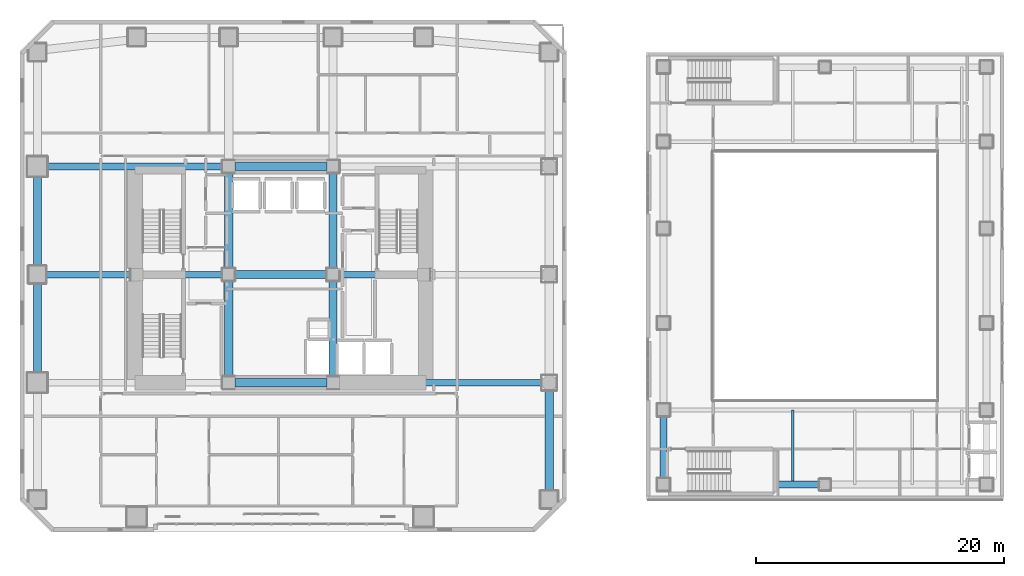
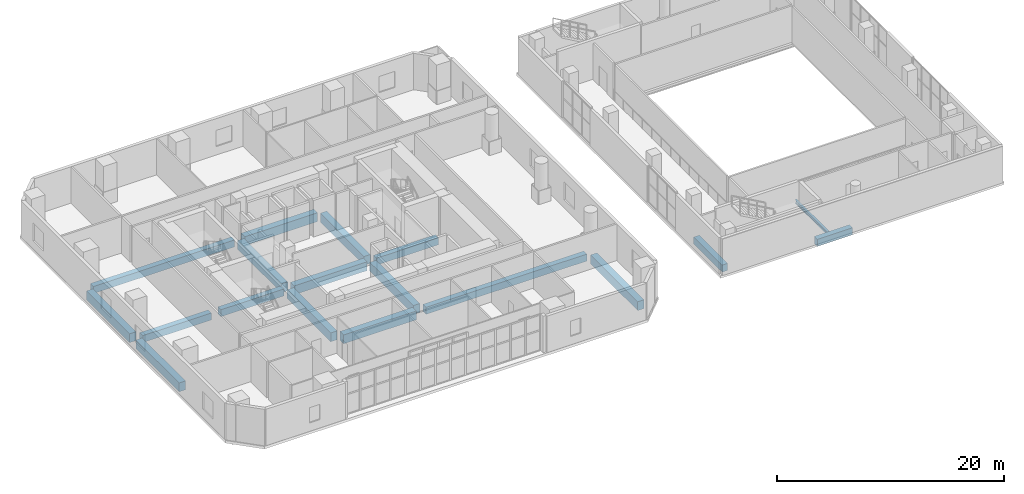
# One storey, part 5 of 24: 18 beams.
"""IFC4 building model written with IfcOpenShell, lengths in metres."""

from ifc_helpers import new_model, si_unit, direction, frame, origin, origin_2d, place, context, subcontext, project, spatial, rectangle, i_section, extrude, material, material_profile, profile_set, type_object, element, save


model = new_model("IFC4")

# Units and contexts
model_context = context("Model", 3, precision=1e-05, world=origin(), true_north=direction((0.0, 1.0)))
body_context = subcontext(model_context, "Body", "Model", "MODEL_VIEW")
ifc_project = project(units=[si_unit("LENGTHUNIT", "METRE"), si_unit("AREAUNIT", "SQUARE_METRE"), si_unit("VOLUMEUNIT", "CUBIC_METRE"), si_unit("PLANEANGLEUNIT", "RADIAN"), si_unit("MASSUNIT", "GRAM", prefix="KILO")], contexts=[model_context])

# Site, building, storey
site_placement = place(None, origin())
site = spatial("IfcSite", under=ifc_project, at=site_placement, CompositionType="ELEMENT")
building_placement = place(site_placement, origin())
building = spatial("IfcBuilding", under=site, at=building_placement, Name="Solanera Arch Residences", CompositionType="ELEMENT")
storey_placement = place(building_placement, frame((0.0, 0.0, 5.199951171875)))
storey = spatial("IfcBuildingStorey", under=building, at=storey_placement, Name="L01", CompositionType="ELEMENT", Elevation=5.199951171875)

# Beams
ifc_material_1 = material(Name="Concrete C40/50 (f'c = 45 MPa)", Category="concrete")
ifc_material_profile_1 = material_profile(ifc_material_1, rectangle(XDim=0.550048828125, YDim=0.75, at=origin_2d()))
ifc_profile_set_1 = profile_set([ifc_material_profile_1], Name="Concrete C40/50 (f'c = 45 MPa)")
beam_type_1 = type_object("IfcBeamType", Name="Primary Beam RC-BM-550X750", PredefinedType="BEAM", material=ifc_profile_set_1)
beam_1_placement = place(storey_placement, frame((29.7041015625, 22.0, -0.655029296875), z_axis=(1.0, 0.0, 0.0), x_axis=(0.0, 1.0, 0.0)))
element("IfcBeam", 1, at=beam_1_placement, inside=storey, type_object=beam_type_1, Name="BM-L01-POD-RE-22", PredefinedType="BEAM", context=body_context, shape_type="SweptSolid", body=[
    extrude(rectangle(XDim=0.550048828125, YDim=0.75, at=origin_2d()), origin(), (0.0, 0.0, 1.0), 16.35595703125),
])
beam_2_placement = place(storey_placement, frame((5.93994140625, 30.699951171875, -0.655029296875), z_axis=(1.0, 0.0, 0.0), x_axis=(0.0, 1.0, 0.0)))
element("IfcBeam", 2, at=beam_2_placement, inside=storey, type_object=beam_type_1, Name="BM-L01-POD-RW-30", PredefinedType="BEAM", context=body_context, shape_type="SweptSolid", body=[
    extrude(rectangle(XDim=0.550048828125, YDim=0.75, at=origin_2d()), origin(), (0.0, 0.0, 1.0), 6.9560546875),
])
beam_3_placement = place(storey_placement, frame((5.93994140625, 39.39990234375, -0.655029296875), z_axis=(1.0, 0.0, 0.0), x_axis=(0.0, 1.0, 0.0)))
element("IfcBeam", 3, at=beam_3_placement, inside=storey, type_object=beam_type_1, Name="BM-L01-POD-RW-39", PredefinedType="BEAM", context=body_context, shape_type="SweptSolid", body=[
    extrude(rectangle(XDim=0.550048828125, YDim=0.75, at=origin_2d()), origin(), (0.0, 0.0, 1.0), 14.35595703125),
])
beam_4_placement = place(storey_placement, frame((13.904052734375, 30.699951171875, -0.655029296875), z_axis=(1.0, 0.0, 0.0), x_axis=(0.0, 1.0, 0.0)))
element("IfcBeam", 4, at=beam_4_placement, inside=storey, type_object=beam_type_1, Name="BM-L01-HCCW", PredefinedType="BEAM", context=body_context, shape_type="SweptSolid", body=[
    extrude(rectangle(XDim=0.550048828125, YDim=0.75, at=origin_2d()), origin(), (0.0, 0.0, 1.0), 6.391845703125),
])
beam_5_placement = place(storey_placement, frame((29.7041015625, 30.699951171875, -0.655029296875), z_axis=(1.0, 0.0, 0.0), x_axis=(0.0, 1.0, 0.0)))
element("IfcBeam", 5, at=beam_5_placement, inside=storey, type_object=beam_type_1, Name="BM-L01-HCCE", PredefinedType="BEAM", context=body_context, shape_type="SweptSolid", body=[
    extrude(rectangle(XDim=0.550048828125, YDim=0.75, at=origin_2d()), origin(), (0.0, 0.0, 1.0), 6.2919921875),
])
beam_6_placement = place(storey_placement, frame((55.800048828125, 14.300048828125, -0.655029296875), z_axis=(0.0, 1.0, 0.0), x_axis=(-1.0, 0.0, 0.0)))
element("IfcBeam", 6, at=beam_6_placement, inside=storey, type_object=beam_type_1, Name="BM-L01-HW-1", PredefinedType="BEAM", context=body_context, shape_type="SweptSolid", body=[
    extrude(rectangle(XDim=0.550048828125, YDim=0.75, at=origin_2d()), origin(), (0.0, 0.0, 1.0), 5.0),
])
beam_7_placement = place(storey_placement, frame((64.760009765625, 13.800048828125, -0.655029296875), z_axis=(1.0, 0.0, 0.0), x_axis=(0.0, 1.0, 0.0)))
element("IfcBeam", 7, at=beam_7_placement, inside=storey, type_object=beam_type_1, Name="BM-L01-HS-1", PredefinedType="BEAM", context=body_context, shape_type="SweptSolid", body=[
    extrude(rectangle(XDim=0.550048828125, YDim=0.75, at=origin_2d()), origin(), (0.0, 0.0, 1.0), 3.590087890625),
])
ifc_material_2 = material(Name="Concrete C40/50 (f'c = 45 MPa)", Category="concrete")
ifc_material_profile_2 = material_profile(ifc_material_2, rectangle(XDim=0.64990234375, YDim=0.949951171875, at=origin_2d()))
ifc_profile_set_2 = profile_set([ifc_material_profile_2], Name="Concrete C40/50 (f'c = 45 MPa)")
beam_type_2 = type_object("IfcBeamType", Name="Primary Beam RC-BM-650X950", PredefinedType="BEAM", material=ifc_profile_set_2)
beam_8_placement = place(storey_placement, frame((5.39990234375, 22.5400390625, -0.7548828125), z_axis=(0.0, 1.0, 0.0), x_axis=(-1.0, 0.0, 0.0)))
element("IfcBeam", 8, at=beam_8_placement, inside=storey, type_object=beam_type_2, Name="BM-L01-POD-W2", PredefinedType="BEAM", context=body_context, shape_type="SweptSolid", body=[
    extrude(rectangle(XDim=0.64990234375, YDim=0.949951171875, at=origin_2d()), origin(), (0.0, 0.0, 1.0), 7.619873046875),
])
beam_9_placement = place(storey_placement, frame((5.39990234375, 31.239990234375, -0.7548828125), z_axis=(0.0, 1.0, 0.0), x_axis=(-1.0, 0.0, 0.0)))
element("IfcBeam", 9, at=beam_9_placement, inside=storey, type_object=beam_type_2, Name="BM-L01-POD-W3", PredefinedType="BEAM", context=body_context, shape_type="SweptSolid", body=[
    extrude(rectangle(XDim=0.64990234375, YDim=0.949951171875, at=origin_2d()), origin(), (0.0, 0.0, 1.0), 7.6201171875),
])
beam_10_placement = place(storey_placement, frame((46.60009765625, 13.139892578125, -0.7548828125), z_axis=(0.0, 1.0, 0.0), x_axis=(-1.0, 0.0, 0.0)))
element("IfcBeam", 10, at=beam_10_placement, inside=storey, type_object=beam_type_2, Name="BM-L01-POD-E1", PredefinedType="BEAM", context=body_context, shape_type="SweptSolid", body=[
    extrude(rectangle(XDim=0.64990234375, YDim=0.949951171875, at=origin_2d()), origin(), (0.0, 0.0, 1.0), 8.320068359375),
])
beam_11_placement = place(storey_placement, frame((20.800048828125, 22.50390625, -0.7548828125), z_axis=(0.0, 1.0, 0.0), x_axis=(-1.0, 0.0, 0.0)))
element("IfcBeam", 11, at=beam_11_placement, inside=storey, type_object=beam_type_2, Name="BM-L01-HCNS-20", PredefinedType="BEAM", context=body_context, shape_type="SweptSolid", body=[
    extrude(rectangle(XDim=0.64990234375, YDim=0.949951171875, at=origin_2d()), origin(), (0.0, 0.0, 1.0), 7.692138671875),
])
beam_12_placement = place(storey_placement, frame((20.800048828125, 31.2041015625, -0.7548828125), z_axis=(0.0, 1.0, 0.0), x_axis=(-1.0, 0.0, 0.0)))
element("IfcBeam", 12, at=beam_12_placement, inside=storey, type_object=beam_type_2, Name="BM-L01-HCNN-20", PredefinedType="BEAM", context=body_context, shape_type="SweptSolid", body=[
    extrude(rectangle(XDim=0.64990234375, YDim=0.949951171875, at=origin_2d()), origin(), (0.0, 0.0, 1.0), 7.69189453125),
])
beam_13_placement = place(storey_placement, frame((29.199951171875, 22.50390625, -0.7548828125), z_axis=(0.0, 1.0, 0.0), x_axis=(-1.0, 0.0, 0.0)))
element("IfcBeam", 13, at=beam_13_placement, inside=storey, type_object=beam_type_2, Name="BM-L01-HCNS-29", PredefinedType="BEAM", context=body_context, shape_type="SweptSolid", body=[
    extrude(rectangle(XDim=0.64990234375, YDim=0.949951171875, at=origin_2d()), origin(), (0.0, 0.0, 1.0), 7.692138671875),
])
beam_14_placement = place(storey_placement, frame((29.199951171875, 31.2041015625, -0.7548828125), z_axis=(0.0, 1.0, 0.0), x_axis=(-1.0, 0.0, 0.0)))
element("IfcBeam", 14, at=beam_14_placement, inside=storey, type_object=beam_type_2, Name="BM-L01-HCNN-29", PredefinedType="BEAM", context=body_context, shape_type="SweptSolid", body=[
    extrude(rectangle(XDim=0.64990234375, YDim=0.949951171875, at=origin_2d()), origin(), (0.0, 0.0, 1.0), 7.69189453125),
])
for number, where, z_axis, x_axis, name in (
    (15, (21.303955078125, 22.0, -0.7548828125), (1.0, 0.0, 0.0), (0.0, 1.0, 0.0), "BM-L01-HCEW-22"),
    (16, (21.303955078125, 30.699951171875, -0.7548828125), (1.0, 0.0, 0.0), (0.0, 1.0, 0.0), "BM-L01-HCEW-30"),
    (17, (21.303955078125, 39.39990234375, -0.7548828125), (1.0, 0.0, 0.0), (0.0, 1.0, 0.0), "BM-L01-HCEW-39"),
):
    element("IfcBeam", number, at=place(storey_placement, frame(where, z_axis=z_axis, x_axis=x_axis)), inside=storey, type_object=beam_type_2, Name=name, PredefinedType="BEAM", context=body_context, shape_type="SweptSolid", body=[
        extrude(rectangle(XDim=0.64990234375, YDim=0.949951171875, at=origin_2d()), origin(), (0.0, 0.0, 1.0), 7.39208984375),
    ])
ifc_material_3 = material(Name="Steel S355 (ASTM A992 / A572 Grade 50)", Category="steel")
ifc_material_profile_3 = material_profile(ifc_material_3, i_section(OverallWidth=0.205078125, OverallDepth=0.35400390625, WebThickness=0.009521484375, FlangeThickness=0.016845703125, at=origin_2d()))
ifc_profile_set_3 = profile_set([ifc_material_profile_3], Name="Steel S355 (ASTM A992 / A572 Grade 50)")
beam_type_3 = type_object("IfcBeamType", Name="Secondary Joist W360X79", PredefinedType="JOIST", material=ifc_profile_set_3)
beam_15_placement = place(storey_placement, frame((66.199951171875, 13.800048828125, -0.45703125), z_axis=(0.0, 1.0, 0.0), x_axis=(-1.0, 0.0, 0.0)))
element("IfcBeam", 18, at=beam_15_placement, inside=storey, type_object=beam_type_3, Name="BM-L01-HJS-66", PredefinedType="JOIST", context=body_context, shape_type="SweptSolid", body=[
    extrude(i_section(OverallWidth=0.205078125, OverallDepth=0.35400390625, WebThickness=0.009521484375, FlangeThickness=0.016845703125, at=origin_2d()), origin(), (0.0, 0.0, 1.0), 6.0),
])

save(model, "model.ifc")
